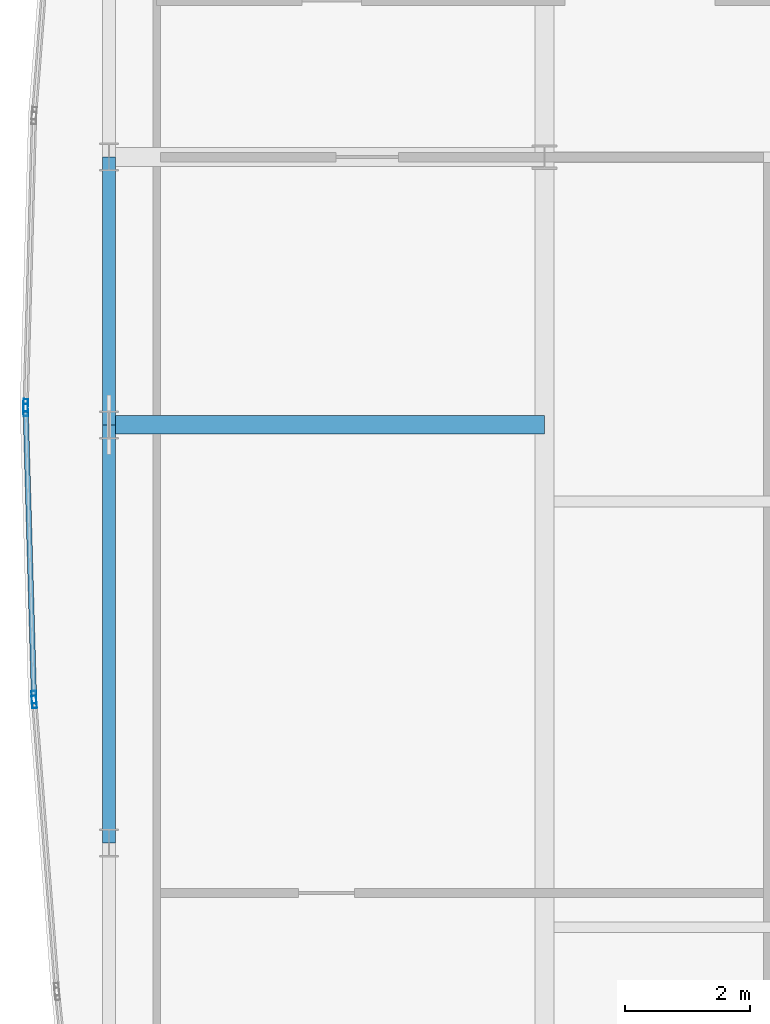
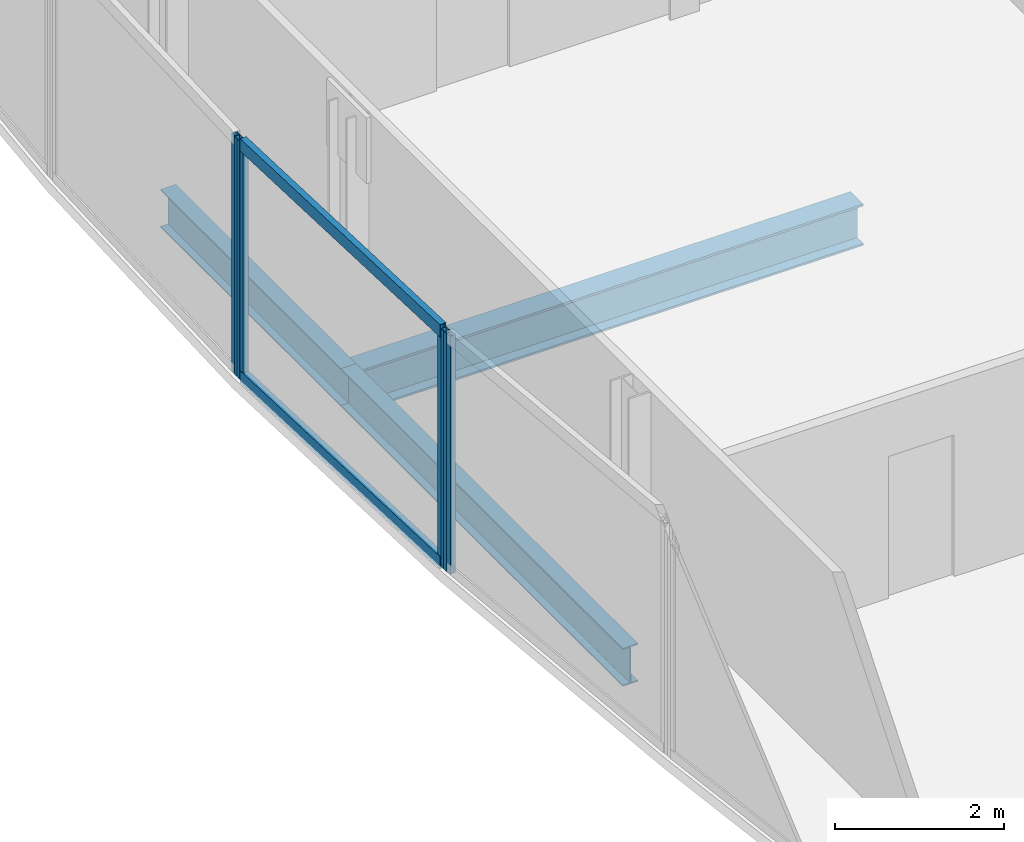
# One storey, part 9 of 27: 6 members, 3 beams, 3 elements without a shape of their own.
"""IFC4 building model written with IfcOpenShell, lengths in metres."""

from ifc_helpers import new_model, si_unit, direction, frame, origin, origin_2d, place, context, subcontext, project, spatial, hollow_rectangle, i_section, extrude, material, material_profile, profile_set, type_object, element, aggregate, save


model = new_model("IFC4")

# Units and contexts
model_context = context("Model", 3, precision=1e-05, world=origin(), true_north=direction((0.0, 1.0)))
body_context = subcontext(model_context, "Body", "Model", "MODEL_VIEW")
ifc_project = project(units=[si_unit("LENGTHUNIT", "METRE"), si_unit("AREAUNIT", "SQUARE_METRE"), si_unit("VOLUMEUNIT", "CUBIC_METRE"), si_unit("PLANEANGLEUNIT", "RADIAN"), si_unit("MASSUNIT", "GRAM", prefix="KILO")], contexts=[model_context])

# Site, building, storey
site_placement = place(None, origin())
site = spatial("IfcSite", under=ifc_project, at=site_placement, CompositionType="ELEMENT")
building_placement = place(site_placement, origin())
building = spatial("IfcBuilding", under=site, at=building_placement, Name="Khoronbel Lancet Exchange", CompositionType="ELEMENT")
storey_placement = place(building_placement, frame((0.0, 0.0, 343.39990234375)))
storey = spatial("IfcBuildingStorey", under=building, at=storey_placement, Name="L89", CompositionType="ELEMENT", Elevation=343.39990234375)

# Beams
ifc_material_1 = material(Name="Steel S355", Category="steel")
ifc_material_profile_1 = material_profile(ifc_material_1, i_section(OverallWidth=0.300048828125, OverallDepth=0.60009765625, WebThickness=0.015380859375, FlangeThickness=0.030029296875, at=origin_2d()), Name="HEB 600")
ifc_profile_set_1 = profile_set([ifc_material_profile_1], Name="Steel S355")
beam_type_1 = type_object("IfcBeamType", Name="BM-BG5", PredefinedType="BEAM", material=ifc_profile_set_1)
beam_1_placement = place(storey_placement, frame((11.27001953125, 31.425048828125, -0.4599609375), z_axis=(1.0, 0.0, 0.0), x_axis=(0.0, 1.0, 0.0)))
element("IfcBeam", 1, at=beam_1_placement, inside=storey, type_object=beam_type_1, Name="Level L89 west lens tie girder LG2W", PredefinedType="BEAM", context=body_context, shape_type="SweptSolid", body=[
    extrude(i_section(OverallWidth=0.300048828125, OverallDepth=0.60009765625, WebThickness=0.015380859375, FlangeThickness=0.030029296875, at=origin_2d()), origin(), (0.0, 0.0, 1.0), 6.955078125),
])
ifc_material_profile_2 = material_profile(ifc_material_1, i_section(OverallWidth=0.2099609375, OverallDepth=0.550048828125, WebThickness=0.010986328125, FlangeThickness=0.01708984375, at=origin_2d()), Name="IPE 550")
ifc_profile_set_2 = profile_set([ifc_material_profile_2], Name="Steel S355")
beam_type_2 = type_object("IfcBeamType", Name="BM-BSP3", PredefinedType="SPANDREL", material=ifc_profile_set_2)
beam_2_placement = place(storey_placement, frame((11.27001953125, 35.699951171875, -0.434814453125), z_axis=(0.0, -1.0, 0.0), x_axis=(1.0, 0.0, 0.0)))
element("IfcBeam", 2, at=beam_2_placement, inside=storey, type_object=beam_type_2, Name="Level L89 perimeter spandrel beam SP16", PredefinedType="SPANDREL", context=body_context, shape_type="SweptSolid", body=[
    extrude(i_section(OverallWidth=0.2099609375, OverallDepth=0.550048828125, WebThickness=0.010986328125, FlangeThickness=0.01708984375, at=origin_2d()), origin(), (0.0, 0.0, 1.0), 4.27490234375),
])
beam_3_placement = place(storey_placement, frame((11.27001953125, 31.425048828125, -0.434814453125), z_axis=(0.0, -1.0, 0.0), x_axis=(1.0, 0.0, 0.0)))
element("IfcBeam", 3, at=beam_3_placement, inside=storey, type_object=beam_type_2, Name="Level L89 perimeter spandrel beam SP17", PredefinedType="SPANDREL", context=body_context, shape_type="SweptSolid", body=[
    extrude(i_section(OverallWidth=0.2099609375, OverallDepth=0.550048828125, WebThickness=0.010986328125, FlangeThickness=0.01708984375, at=origin_2d()), origin(), (0.0, 0.0, 1.0), 6.675048828125),
])

# Curtain wall, member
ifc_material_2 = material(Name="Low-E Solar Control Insulating Glass", Category="glass")
curtain_wall_type = type_object("IfcCurtainWallType", Name="CW-4", PredefinedType="NOTDEFINED", material=ifc_material_2)
curtain_wall_1_placement = place(storey_placement, origin())
curtain_wall_1 = element("IfcCurtainWall", 4, at=curtain_wall_1_placement, inside=storey, type_object=curtain_wall_type, Name="Unitised curtain wall CW-L89-E05", PredefinedType="NOTDEFINED")
ifc_material_3 = material(Name="Bronze-Anodised Aluminium 6063-T6", Category="aluminium")
ifc_material_profile_3 = material_profile(ifc_material_3, hollow_rectangle(XDim=0.074951171875, YDim=0.199951171875, WallThickness=0.0048828125, at=origin_2d()), Name="ALU MULLION 75x200")
ifc_profile_set_3 = profile_set([ifc_material_profile_3], Name="Bronze-Anodised Aluminium 6063-T6")
member_type_1 = type_object("IfcMemberType", Name="MEM-CWM2", PredefinedType="MULLION", material=ifc_profile_set_3)
member_1_placement = place(storey_placement, frame((10.076904296875, 27.000732421875, 0.0), z_axis=(0.0, 0.0, 1.0), x_axis=(-0.996938933306, -0.078184162452, 0.0)))
member_1 = element("IfcMember", 5, at=member_1_placement, type_object=member_type_1, Name="CW4 mullion 2", PredefinedType="MULLION", context=body_context, shape_type="SweptSolid", body=[
    extrude(hollow_rectangle(XDim=0.074951171875, YDim=0.199951171875, WallThickness=0.0048828125, at=origin_2d()), origin(), (0.0, 0.0, 1.0), 3.440185546875),
])
aggregate(curtain_wall_1, [member_1])

# Curtain wall, members
curtain_wall_2_placement = place(storey_placement, origin())
curtain_wall_2 = element("IfcCurtainWall", 6, at=curtain_wall_2_placement, inside=storey, type_object=curtain_wall_type, Name="Unitised curtain wall CW-L89-E06", PredefinedType="NOTDEFINED")
member_2_placement = place(storey_placement, frame((10.07275390625, 27.07568359375, 0.0), z_axis=(0.0, 0.0, 1.0), x_axis=(-0.9995877728, -0.028710354746, 0.0)))
member_2 = element("IfcMember", 7, at=member_2_placement, type_object=member_type_1, Name="CW4 mullion 1", PredefinedType="MULLION", context=body_context, shape_type="SweptSolid", body=[
    extrude(hollow_rectangle(XDim=0.074951171875, YDim=0.199951171875, WallThickness=0.0048828125, at=origin_2d()), origin(), (0.0, 0.0, 1.0), 3.440185546875),
])
member_3_placement = place(storey_placement, frame((9.941162109375, 31.66259765625, 0.0), z_axis=(0.0, 0.0, 1.0), x_axis=(-0.9995877728, -0.028710354746, 0.0)))
member_3 = element("IfcMember", 8, at=member_3_placement, type_object=member_type_1, Name="CW4 mullion 2", PredefinedType="MULLION", context=body_context, shape_type="SweptSolid", body=[
    extrude(hollow_rectangle(XDim=0.074951171875, YDim=0.199951171875, WallThickness=0.0048828125, at=origin_2d()), origin(), (0.0, 0.0, 1.0), 3.440185546875),
])

# Curtain wall, member
curtain_wall_3_placement = place(storey_placement, origin())
curtain_wall_3 = element("IfcCurtainWall", 9, at=curtain_wall_3_placement, inside=storey, type_object=curtain_wall_type, Name="Unitised curtain wall CW-L89-E07", PredefinedType="NOTDEFINED")
member_4_placement = place(storey_placement, frame((9.941162109375, 31.737548828125, 0.0), z_axis=(0.0, 0.0, 1.0), x_axis=(-0.9995877728, 0.028710354746, 0.0)))
member_4 = element("IfcMember", 10, at=member_4_placement, type_object=member_type_1, Name="CW4 mullion 1", PredefinedType="MULLION", context=body_context, shape_type="SweptSolid", body=[
    extrude(hollow_rectangle(XDim=0.074951171875, YDim=0.199951171875, WallThickness=0.0048828125, at=origin_2d()), origin(), (0.0, 0.0, 1.0), 3.440185546875),
])
aggregate(curtain_wall_3, [member_4])

# Member
ifc_material_profile_4 = material_profile(ifc_material_3, hollow_rectangle(XDim=0.0849609375, YDim=0.179931640625, WallThickness=0.0048828125, at=origin_2d()), Name="ALU TRANSOM 85x180")
ifc_profile_set_4 = profile_set([ifc_material_profile_4], Name="Bronze-Anodised Aluminium 6063-T6")
member_type_2 = type_object("IfcMemberType", Name="MEM-CWT1", PredefinedType="USERDEFINED", material=ifc_profile_set_4)
member_5_placement = place(storey_placement, frame((10.07177734375, 27.113037109375, 0.04248046875), z_axis=(-0.028720359004, 0.999587485405, 0.0), x_axis=(-0.999587485405, -0.028720359004, 0.0)))
member_5 = element("IfcMember", 11, at=member_5_placement, type_object=member_type_2, Name="CW4 transom 1.1", ObjectType="TRANSOM", PredefinedType="USERDEFINED", context=body_context, shape_type="SweptSolid", body=[
    extrude(hollow_rectangle(XDim=0.0849609375, YDim=0.179931640625, WallThickness=0.0048828125, at=origin_2d()), origin(), (0.0, 0.0, 1.0), 4.513916015625),
])

member_6_placement = place(storey_placement, frame((10.07177734375, 27.113037109375, 3.397705078125), z_axis=(-0.028720359004, 0.999587485405, 0.0), x_axis=(-0.999587485405, -0.028720359004, 0.0)))
member_6 = element("IfcMember", 12, at=member_6_placement, type_object=member_type_2, Name="CW4 transom 1.2", ObjectType="TRANSOM", PredefinedType="USERDEFINED", context=body_context, shape_type="SweptSolid", body=[
    extrude(hollow_rectangle(XDim=0.0849609375, YDim=0.179931640625, WallThickness=0.0048828125, at=origin_2d()), origin(), (0.0, 0.0, 1.0), 4.513916015625),
])

aggregate(curtain_wall_2, [member_2, member_3, member_5, member_6])

save(model, "model.ifc")
